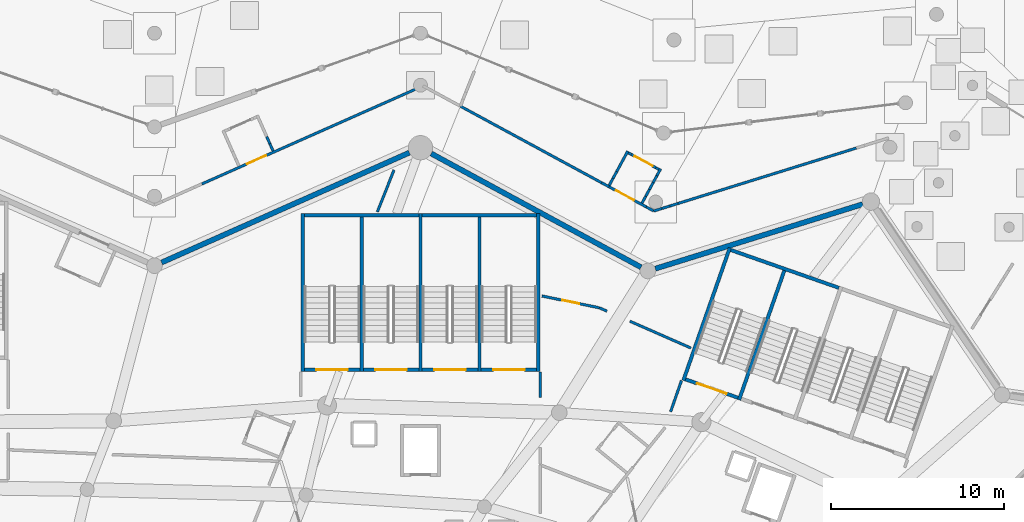
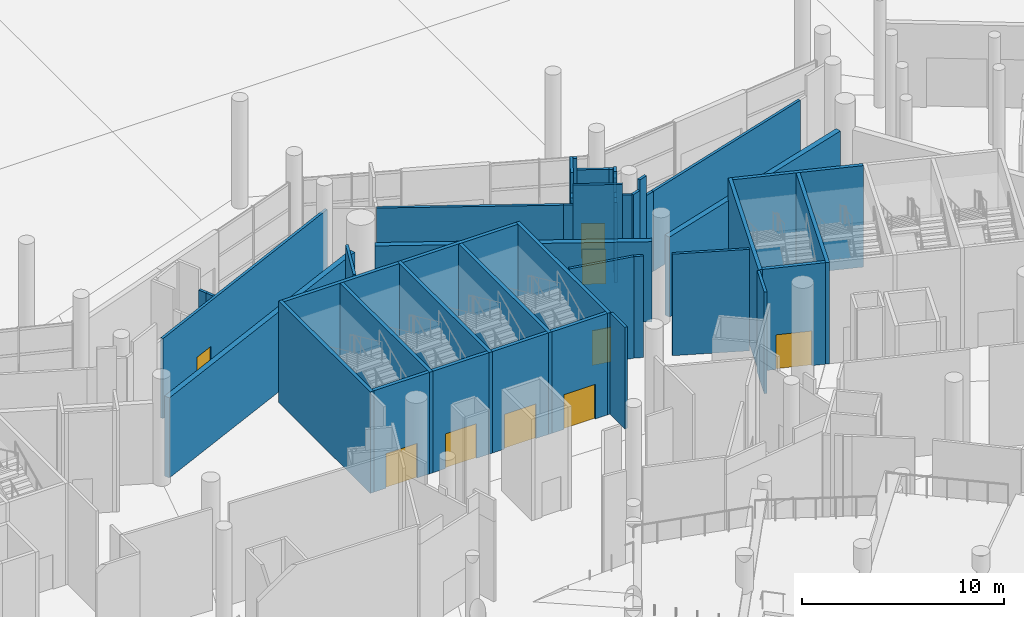
# One storey, part 153 of 255: 46 walls, 9 doors, 9 openings.
"""IFC4 building model written with IfcOpenShell, lengths in metres."""

from ifc_helpers import new_model, si_unit, direction, frame, frame_2d, origin, place, context, subcontext, project, spatial, rectangle, extrude, material, layer, layer_set, type_object, element, fill, save


model = new_model("IFC4")

# Units and contexts
model_context = context("Model", 3, precision=1e-05, world=origin(), true_north=direction((0.0, 1.0)))
body_context = subcontext(model_context, "Body", "Model", "MODEL_VIEW")
ifc_project = project(units=[si_unit("LENGTHUNIT", "METRE"), si_unit("AREAUNIT", "SQUARE_METRE"), si_unit("VOLUMEUNIT", "CUBIC_METRE"), si_unit("PLANEANGLEUNIT", "RADIAN"), si_unit("MASSUNIT", "GRAM", prefix="KILO")], contexts=[model_context])

# Site, building, storey
site_placement = place(None, origin())
site = spatial("IfcSite", under=ifc_project, at=site_placement, CompositionType="ELEMENT")
building_placement = place(site_placement, origin())
building = spatial("IfcBuilding", under=site, at=building_placement, Name="Meseta Stadium", CompositionType="ELEMENT")
storey_placement = place(building_placement, origin())
storey = spatial("IfcBuildingStorey", under=building, at=storey_placement, Name="L00", CompositionType="ELEMENT", Elevation=0.0)

# Walls
ifc_material_1 = material(Name="Concrete C40/50", Category="concrete")
ifc_layer_1 = layer(ifc_material_1, 0.199951171875)
ifc_layer_set_1 = layer_set([ifc_layer_1], Name="Core divider wall 200")
wall_type_1 = type_object("IfcWallType", Name="Core divider wall 200", PredefinedType="SHEAR", material=ifc_layer_set_1)
wall_1_placement = place(storey_placement, frame((59.370849609375, 98.505859375, 0.0), z_axis=(0.0, 0.0, 1.0), x_axis=(-0.330280610426, -0.943882788474, 0.0)))
element("IfcWall", 1, at=wall_1_placement, inside=storey, type_object=wall_type_1, Name="Core 08 L00 stair B divider wall", PredefinedType="SHEAR", context=body_context, shape_type="SweptSolid", body=[
    extrude(rectangle(XDim=8.10009765625, YDim=0.199951171875, at=frame_2d((4.050048828125, 0.0))), origin(), (0.0, 0.0, 1.0), 6.14990234375),
])
for number, where, z_axis, x_axis, name in (
    (2, (41.7333984375, 101.60009765625, 0.0), (0.0, 0.0, 1.0), (0.0, -1.0, 0.0), "Core 09 L00 stair A divider wall"),
    (3, (34.933349609375, 101.60009765625, 0.0), (0.0, 0.0, 1.0), (0.0, -1.0, 0.0), "Core 09 L00 stair B divider wall"),
):
    element("IfcWall", number, at=place(storey_placement, frame(where, z_axis=z_axis, x_axis=x_axis)), inside=storey, type_object=wall_type_1, Name=name, PredefinedType="SHEAR", context=body_context, shape_type="SweptSolid", body=[
        extrude(rectangle(XDim=9.10009765625, YDim=0.199951171875, at=frame_2d((4.550048828125, 0.0))), origin(), (0.0, 0.0, 1.0), 6.14990234375),
    ])
ifc_material_2 = material(Name="Concrete C40/50", Category="concrete")
ifc_layer_2 = layer(ifc_material_2, 0.199951171875)
ifc_layer_set_2 = layer_set([ifc_layer_2], Name="Core shaft wall 200")
wall_type_2 = type_object("IfcWallType", Name="Core shaft wall 200", PredefinedType="SHEAR", material=ifc_layer_set_2)
wall_2_placement = place(storey_placement, frame((56.16162109375, 99.62890625, 0.0), z_axis=(0.0, 0.0, 1.0), x_axis=(-0.330280610426, -0.943882788474, 0.0)))
element("IfcWall", 4, at=wall_2_placement, inside=storey, type_object=wall_type_2, Name="Core 08 L00 stair wall B-side", PredefinedType="SHEAR", context=body_context, shape_type="SweptSolid", body=[
    extrude(rectangle(XDim=8.10009765625, YDim=0.199951171875, at=frame_2d((4.050048828125, 0.0))), origin(), (0.0, 0.0, 1.0), 6.14990234375),
])
wall_3_placement = place(storey_placement, frame((62.45263671875, 97.321533203125, 0.0), z_axis=(0.0, 0.0, 1.0), x_axis=(-0.943880844925, 0.330286164688, 0.0)))
element("IfcWall", 5, at=wall_3_placement, inside=storey, type_object=wall_type_2, Name="Core 08 L00 stair B outer end wall", PredefinedType="SHEAR", context=body_context, shape_type="SweptSolid", body=[
    extrude(rectangle(XDim=6.60009765625, YDim=0.199951171875, at=frame_2d((3.300048828125, 0.0))), origin(), (0.0, 0.0, 1.0), 6.14990234375),
])

# Wall, opening, door
wall_4_placement = place(storey_placement, frame((56.63427734375, 90.98779296875, 0.0), z_axis=(0.0, 0.0, 1.0), x_axis=(-0.943886898693, 0.330268863922, 0.0)))
wall_4 = element("IfcWall", 6, at=wall_4_placement, inside=storey, type_object=wall_type_2, Name="Core 08 L00 stair B2 inner end wall", PredefinedType="SHEAR", context=body_context, shape_type="SweptSolid", body=[
    extrude(rectangle(XDim=3.2001953125, YDim=0.199951171875, at=frame_2d((1.60009765625, 0.0))), origin(), (0.0, 0.0, 1.0), 6.14990234375),
])
opening_1_placement = place(wall_4_placement, frame((0.699951171875, 0.0, 0.0)))
opening_1 = element("IfcOpeningElement", 7, at=opening_1_placement, cuts=wall_4, Name="Opening D122", PredefinedType="OPENING", context=body_context, shape_type="SweptSolid", body=[
    extrude(rectangle(XDim=1.800048828125, YDim=2.10009765625, at=frame_2d((0.89990234375, 1.050048828125))), frame((0.0, 0.10986328125, 0.0), z_axis=(0.0, -1.0, 0.0), x_axis=(1.0, 0.0, 0.0)), (0.0, 0.0, 1.0), 0.219970703125),
])
ifc_material_3 = material(Name="Steel", Category="steel")
door_type_1 = type_object("IfcDoorType", Name="Stair door 1800x2100", OperationType="DOUBLE_DOOR_SINGLE_SWING", PredefinedType="DOOR", material=ifc_material_3)
door_1_placement = place(opening_1_placement, origin())
door_1 = element("IfcDoor", 8, at=door_1_placement, inside=storey, type_object=door_type_1, Name="Stair B2 door 08 L00", OperationType="DOUBLE_DOOR_SINGLE_SWING", OverallHeight=2.10009765625, OverallWidth=1.800048828125, PredefinedType="DOOR", context=body_context, shape_type="SweptSolid", body=[
    extrude(rectangle(XDim=1.800048828125, YDim=2.10009765625, at=frame_2d((0.89990234375, 1.050048828125))), frame((0.0, 0.02490234375, 0.0), z_axis=(0.0, -1.0, 0.0), x_axis=(1.0, 0.0, 0.0)), (0.0, 0.0, 1.0), 0.050048828125),
])
fill(opening_1, door_1)

# Walls
for number, where, z_axis, x_axis, name in (
    (9, (45.13330078125, 101.60009765625, 0.0), (0.0, 0.0, 1.0), (0.0, -1.0, 0.0), "Core 09 L00 stair wall A-side"),
    (10, (38.333251953125, 101.60009765625, 0.0), (0.0, 0.0, 1.0), (0.0, -1.0, 0.0), "Core 09 L00 stair wall shared"),
    (11, (31.533203125, 101.60009765625, 0.0), (0.0, 0.0, 1.0), (0.0, -1.0, 0.0), "Core 09 L00 stair wall B-side"),
):
    element("IfcWall", number, at=place(storey_placement, frame(where, z_axis=z_axis, x_axis=x_axis)), inside=storey, type_object=wall_type_2, Name=name, PredefinedType="SHEAR", context=body_context, shape_type="SweptSolid", body=[
        extrude(rectangle(XDim=9.10009765625, YDim=0.199951171875, at=frame_2d((4.550048828125, 0.0))), origin(), (0.0, 0.0, 1.0), 6.14990234375),
    ])
wall_5_placement = place(storey_placement, frame((45.033203125, 101.5, 0.0), z_axis=(0.0, 0.0, 1.0), x_axis=(-1.0, 0.0, 0.0)))
element("IfcWall", 12, at=wall_5_placement, inside=storey, type_object=wall_type_2, Name="Core 09 L00 stair A outer end wall", PredefinedType="SHEAR", context=body_context, shape_type="SweptSolid", body=[
    extrude(rectangle(XDim=6.599853515625, YDim=0.199951171875, at=frame_2d((3.2998046875, 0.0))), origin(), (0.0, 0.0, 1.0), 6.14990234375),
])
wall_6_placement = place(storey_placement, frame((38.2333984375, 101.5, 0.0), z_axis=(0.0, 0.0, 1.0), x_axis=(-1.0, 0.0, 0.0)))
element("IfcWall", 13, at=wall_6_placement, inside=storey, type_object=wall_type_2, Name="Core 09 L00 stair B outer end wall", PredefinedType="SHEAR", context=body_context, shape_type="SweptSolid", body=[
    extrude(rectangle(XDim=6.60009765625, YDim=0.199951171875, at=frame_2d((3.300048828125, 0.0))), origin(), (0.0, 0.0, 1.0), 6.14990234375),
])

# Wall, opening, door
wall_7_placement = place(storey_placement, frame((45.033203125, 92.60009765625, 0.0), z_axis=(0.0, 0.0, 1.0), x_axis=(-1.0, 0.0, 0.0)))
wall_7 = element("IfcWall", 14, at=wall_7_placement, inside=storey, type_object=wall_type_2, Name="Core 09 L00 stair A1 inner end wall", PredefinedType="SHEAR", context=body_context, shape_type="SweptSolid", body=[
    extrude(rectangle(XDim=3.199951171875, YDim=0.199951171875, at=frame_2d((1.60009765625, 0.0))), origin(), (0.0, 0.0, 1.0), 6.14990234375),
])
opening_2_placement = place(wall_7_placement, frame((0.699951171875, 0.0, 0.0)))
opening_2 = element("IfcOpeningElement", 15, at=opening_2_placement, cuts=wall_7, Name="Opening D131", PredefinedType="OPENING", context=body_context, shape_type="SweptSolid", body=[
    extrude(rectangle(XDim=1.800048828125, YDim=2.10009765625, at=frame_2d((0.89990234375, 1.050048828125))), frame((0.0, 0.10986328125, 0.0), z_axis=(0.0, -1.0, 0.0), x_axis=(1.0, 0.0, 0.0)), (0.0, 0.0, 1.0), 0.219970703125),
])
door_2_placement = place(opening_2_placement, origin())
door_2 = element("IfcDoor", 16, at=door_2_placement, inside=storey, type_object=door_type_1, Name="Stair A1 door 09 L00", OperationType="DOUBLE_DOOR_SINGLE_SWING", OverallHeight=2.10009765625, OverallWidth=1.800048828125, PredefinedType="DOOR", context=body_context, shape_type="SweptSolid", body=[
    extrude(rectangle(XDim=1.800048828125, YDim=2.10009765625, at=frame_2d((0.89990234375, 1.050048828125))), frame((0.0, 0.02490234375, 0.0), z_axis=(0.0, -1.0, 0.0), x_axis=(1.0, 0.0, 0.0)), (0.0, 0.0, 1.0), 0.050048828125),
])
fill(opening_2, door_2)

wall_8_placement = place(storey_placement, frame((41.63330078125, 92.60009765625, 0.0), z_axis=(0.0, 0.0, 1.0), x_axis=(-1.0, 0.0, 0.0)))
wall_8 = element("IfcWall", 17, at=wall_8_placement, inside=storey, type_object=wall_type_2, Name="Core 09 L00 stair A2 inner end wall", PredefinedType="SHEAR", context=body_context, shape_type="SweptSolid", body=[
    extrude(rectangle(XDim=3.199951171875, YDim=0.199951171875, at=frame_2d((1.60009765625, 0.0))), origin(), (0.0, 0.0, 1.0), 6.14990234375),
])
opening_3_placement = place(wall_8_placement, frame((0.699951171875, 0.0, 0.0)))
opening_3 = element("IfcOpeningElement", 18, at=opening_3_placement, cuts=wall_8, Name="Opening D132", PredefinedType="OPENING", context=body_context, shape_type="SweptSolid", body=[
    extrude(rectangle(XDim=1.800048828125, YDim=2.10009765625, at=frame_2d((0.89990234375, 1.050048828125))), frame((0.0, 0.10986328125, 0.0), z_axis=(0.0, -1.0, 0.0), x_axis=(1.0, 0.0, 0.0)), (0.0, 0.0, 1.0), 0.219970703125),
])
door_3_placement = place(opening_3_placement, origin())
door_3 = element("IfcDoor", 19, at=door_3_placement, inside=storey, type_object=door_type_1, Name="Stair A2 door 09 L00", OperationType="DOUBLE_DOOR_SINGLE_SWING", OverallHeight=2.10009765625, OverallWidth=1.800048828125, PredefinedType="DOOR", context=body_context, shape_type="SweptSolid", body=[
    extrude(rectangle(XDim=1.800048828125, YDim=2.10009765625, at=frame_2d((0.89990234375, 1.050048828125))), frame((0.0, 0.02490234375, 0.0), z_axis=(0.0, -1.0, 0.0), x_axis=(1.0, 0.0, 0.0)), (0.0, 0.0, 1.0), 0.050048828125),
])
fill(opening_3, door_3)

wall_9_placement = place(storey_placement, frame((38.2333984375, 92.60009765625, 0.0), z_axis=(0.0, 0.0, 1.0), x_axis=(-1.0, 0.0, 0.0)))
wall_9 = element("IfcWall", 20, at=wall_9_placement, inside=storey, type_object=wall_type_2, Name="Core 09 L00 stair B1 inner end wall", PredefinedType="SHEAR", context=body_context, shape_type="SweptSolid", body=[
    extrude(rectangle(XDim=3.2001953125, YDim=0.199951171875, at=frame_2d((1.60009765625, 0.0))), origin(), (0.0, 0.0, 1.0), 6.14990234375),
])
opening_4_placement = place(wall_9_placement, frame((0.699951171875, 0.0, 0.0)))
opening_4 = element("IfcOpeningElement", 21, at=opening_4_placement, cuts=wall_9, Name="Opening D133", PredefinedType="OPENING", context=body_context, shape_type="SweptSolid", body=[
    extrude(rectangle(XDim=1.800048828125, YDim=2.10009765625, at=frame_2d((0.89990234375, 1.050048828125))), frame((0.0, 0.10986328125, 0.0), z_axis=(0.0, -1.0, 0.0), x_axis=(1.0, 0.0, 0.0)), (0.0, 0.0, 1.0), 0.219970703125),
])
door_4_placement = place(opening_4_placement, origin())
door_4 = element("IfcDoor", 22, at=door_4_placement, inside=storey, type_object=door_type_1, Name="Stair B1 door 09 L00", OperationType="DOUBLE_DOOR_SINGLE_SWING", OverallHeight=2.10009765625, OverallWidth=1.800048828125, PredefinedType="DOOR", context=body_context, shape_type="SweptSolid", body=[
    extrude(rectangle(XDim=1.800048828125, YDim=2.10009765625, at=frame_2d((0.89990234375, 1.050048828125))), frame((0.0, 0.02490234375, 0.0), z_axis=(0.0, -1.0, 0.0), x_axis=(1.0, 0.0, 0.0)), (0.0, 0.0, 1.0), 0.050048828125),
])
fill(opening_4, door_4)

wall_10_placement = place(storey_placement, frame((34.833251953125, 92.60009765625, 0.0), z_axis=(0.0, 0.0, 1.0), x_axis=(-1.0, 0.0, 0.0)))
wall_10 = element("IfcWall", 23, at=wall_10_placement, inside=storey, type_object=wall_type_2, Name="Core 09 L00 stair B2 inner end wall", PredefinedType="SHEAR", context=body_context, shape_type="SweptSolid", body=[
    extrude(rectangle(XDim=3.199951171875, YDim=0.199951171875, at=frame_2d((1.60009765625, 0.0))), origin(), (0.0, 0.0, 1.0), 6.14990234375),
])
opening_5_placement = place(wall_10_placement, frame((0.699951171875, 0.0, 0.0)))
opening_5 = element("IfcOpeningElement", 24, at=opening_5_placement, cuts=wall_10, Name="Opening D134", PredefinedType="OPENING", context=body_context, shape_type="SweptSolid", body=[
    extrude(rectangle(XDim=1.800048828125, YDim=2.10009765625, at=frame_2d((0.89990234375, 1.050048828125))), frame((0.0, 0.10986328125, 0.0), z_axis=(0.0, -1.0, 0.0), x_axis=(1.0, 0.0, 0.0)), (0.0, 0.0, 1.0), 0.219970703125),
])
door_5_placement = place(opening_5_placement, origin())
door_5 = element("IfcDoor", 25, at=door_5_placement, inside=storey, type_object=door_type_1, Name="Stair B2 door 09 L00", OperationType="DOUBLE_DOOR_SINGLE_SWING", OverallHeight=2.10009765625, OverallWidth=1.800048828125, PredefinedType="DOOR", context=body_context, shape_type="SweptSolid", body=[
    extrude(rectangle(XDim=1.800048828125, YDim=2.10009765625, at=frame_2d((0.89990234375, 1.050048828125))), frame((0.0, 0.02490234375, 0.0), z_axis=(0.0, -1.0, 0.0), x_axis=(1.0, 0.0, 0.0)), (0.0, 0.0, 1.0), 0.050048828125),
])
fill(opening_5, door_5)

# Wall
ifc_material_4 = material(Name="Masonry blockwork", Category="masonry")
ifc_layer_3 = layer(ifc_material_4, 0.14990234375)
ifc_layer_set_3 = layer_set([ifc_layer_3], Name="Partition 150")
wall_type_3 = type_object("IfcWallType", Name="Partition 150", PredefinedType="PARTITIONING", material=ifc_layer_set_3)
wall_11_placement = place(storey_placement, frame((45.2333984375, 91.015625, 0.0), z_axis=(0.0, 0.0, 1.0), x_axis=(0.0, 1.0, 0.0)))
element("IfcWall", 26, at=wall_11_placement, inside=storey, type_object=wall_type_3, Name="Partition L00 L00-cell07-2-0", PredefinedType="PARTITIONING", context=body_context, shape_type="SweptSolid", body=[
    extrude(rectangle(XDim=1.4443359375, YDim=0.14990234375, at=frame_2d((0.72216796875, 0.0))), origin(), (0.0, 0.0, 1.0), 6.14990234375),
])

# Wall, opening, door
wall_12_placement = place(storey_placement, frame((48.642333984375, 96.171875, 0.0), z_axis=(0.0, 0.0, 1.0), x_axis=(-0.979450326169, 0.201685543776, 0.0)))
wall_12 = element("IfcWall", 27, at=wall_12_placement, inside=storey, type_object=wall_type_3, Name="Partition L00 L00-cell07-2-0", PredefinedType="PARTITIONING", context=body_context, shape_type="SweptSolid", body=[
    extrude(rectangle(XDim=3.37841796875, YDim=0.14990234375, at=frame_2d((1.689208984375, 0.0))), origin(), (0.0, 0.0, 1.0), 6.14990234375),
])
opening_6_placement = place(wall_12_placement, frame((1.178466796875, 0.0, 0.0)))
opening_6 = element("IfcOpeningElement", 28, at=opening_6_placement, cuts=wall_12, Name="Opening D557", PredefinedType="OPENING", context=body_context, shape_type="SweptSolid", body=[
    extrude(rectangle(XDim=1.0, YDim=2.10009765625, at=frame_2d((0.5, 1.050048828125))), frame((0.0, 0.0849609375, 0.0), z_axis=(0.0, -1.0, 0.0), x_axis=(1.0, 0.0, 0.0)), (0.0, 0.0, 1.0), 0.169921875),
])
ifc_material_5 = material(Name="Steel", Category="steel")
door_type_2 = type_object("IfcDoorType", Name="Fire door 1000x2100 EI2 60", OperationType="NOTDEFINED", PredefinedType="DOOR", material=ifc_material_5)
door_6_placement = place(opening_6_placement, origin())
door_6 = element("IfcDoor", 29, at=door_6_placement, inside=storey, type_object=door_type_2, Name="Door D557", OperationType="SINGLE_SWING_LEFT", OverallHeight=2.10009765625, OverallWidth=1.0, PredefinedType="DOOR", context=body_context, shape_type="SweptSolid", body=[
    extrude(rectangle(XDim=1.0, YDim=2.10009765625, at=frame_2d((0.5, 1.050048828125))), frame((0.0, 0.02490234375, 0.0), z_axis=(0.0, -1.0, 0.0), x_axis=(1.0, 0.0, 0.0)), (0.0, 0.0, 1.0), 0.050048828125),
])
fill(opening_6, door_6)

# Walls
wall_13_placement = place(storey_placement, frame((48.642333984375, 96.171875, 0.0), z_axis=(0.0, 0.0, 1.0), x_axis=(0.915644030191, -0.401990062035, 0.0)))
element("IfcWall", 30, at=wall_13_placement, inside=storey, type_object=wall_type_3, Name="Partition L00 L00-cell07-2-0", PredefinedType="PARTITIONING", context=body_context, shape_type="SweptSolid", body=[
    extrude(rectangle(XDim=0.48095703125, YDim=0.14990234375, at=frame_2d((0.240478515625, 0.0))), origin(), (0.0, 0.0, 1.0), 6.14990234375),
])
wall_14_placement = place(storey_placement, frame((50.404052734375, 95.39794921875, 0.0), z_axis=(0.0, 0.0, 1.0), x_axis=(0.915527241614, -0.402255975546, 0.0)))
element("IfcWall", 31, at=wall_14_placement, inside=storey, type_object=wall_type_3, Name="Partition L00 L00-cell07-2-0", PredefinedType="PARTITIONING", context=body_context, shape_type="SweptSolid", body=[
    extrude(rectangle(XDim=3.8486328125, YDim=0.14990234375, at=frame_2d((1.92431640625, 0.0))), origin(), (0.0, 0.0, 1.0), 6.14990234375),
])
wall_15_placement = place(storey_placement, frame((53.378662109375, 91.978759765625, 0.0), z_axis=(0.0, 0.0, 1.0), x_axis=(-0.330190985446, -0.943914145, 0.0)))
element("IfcWall", 32, at=wall_15_placement, inside=storey, type_object=wall_type_3, Name="Partition L00 L00-cell07-2-0", PredefinedType="PARTITIONING", context=body_context, shape_type="SweptSolid", body=[
    extrude(rectangle(XDim=1.909912109375, YDim=0.14990234375, at=frame_2d((0.955078125, 0.0))), origin(), (0.0, 0.0, 1.0), 6.14990234375),
])
wall_16_placement = place(storey_placement, frame((36.806640625, 104.117431640625, 0.0), z_axis=(0.0, 0.0, 1.0), x_axis=(-0.368815912395, -0.929502459795, 0.0)))
element("IfcWall", 33, at=wall_16_placement, inside=storey, type_object=wall_type_3, Name="Partition L00 L00-cell08-2-0", PredefinedType="PARTITIONING", context=body_context, shape_type="SweptSolid", body=[
    extrude(rectangle(XDim=2.600830078125, YDim=0.14990234375, at=frame_2d((1.30029296875, 0.0))), origin(), (0.0, 0.0, 1.0), 6.14990234375),
])
wall_17_placement = place(storey_placement, frame((63.448974609375, 105.37841796875, 0.0), z_axis=(0.0, 0.0, 1.0), x_axis=(-0.954916863786, -0.29687334548, 0.0)))
element("IfcWall", 34, at=wall_17_placement, inside=storey, type_object=wall_type_3, Name="Partition L00 L00-ring07-0", PredefinedType="PARTITIONING", context=body_context, shape_type="SweptSolid", body=[
    extrude(rectangle(XDim=10.75341796875, YDim=0.14990234375, at=frame_2d((5.376708984375, 0.0))), origin(), (0.0, 0.0, 1.0), 4.85009765625),
])
wall_18_placement = place(storey_placement, frame((53.180419921875, 102.18603515625, 0.0), z_axis=(0.0, 0.0, 1.0), x_axis=(-0.954976336525, -0.296681979025, 0.0)))
element("IfcWall", 35, at=wall_18_placement, inside=storey, type_object=wall_type_3, Name="Partition L00 L00-ring07-0", PredefinedType="PARTITIONING", context=body_context, shape_type="SweptSolid", body=[
    extrude(rectangle(XDim=0.48876953125, YDim=0.14990234375, at=frame_2d((0.244384765625, 0.0))), origin(), (0.0, 0.0, 1.0), 4.85009765625),
])
wall_19_placement = place(storey_placement, frame((52.713623046875, 102.041015625, 0.0), z_axis=(0.0, 0.0, 1.0), x_axis=(-0.954976336525, -0.296681979025, 0.0)))
element("IfcWall", 36, at=wall_19_placement, inside=storey, type_object=wall_type_3, Name="Partition L00 L00-ring07-0", PredefinedType="PARTITIONING", context=body_context, shape_type="SweptSolid", body=[
    extrude(rectangle(XDim=0.48876953125, YDim=0.14990234375, at=frame_2d((0.244384765625, 0.0))), origin(), (0.0, 0.0, 1.0), 6.050048828125),
])
wall_20_placement = place(storey_placement, frame((52.246826171875, 101.89599609375, 0.0), z_axis=(0.0, 0.0, 1.0), x_axis=(-0.954834738461, -0.297137379385, 0.0)))
element("IfcWall", 37, at=wall_20_placement, inside=storey, type_object=wall_type_3, Name="Partition L00 L00-ring07-0", PredefinedType="PARTITIONING", context=body_context, shape_type="SweptSolid", body=[
    extrude(rectangle(XDim=0.48876953125, YDim=0.14990234375, at=frame_2d((0.244384765625, 0.0))), origin(), (0.0, 0.0, 1.0), 5.39990234375),
])
wall_21_placement = place(storey_placement, frame((51.780029296875, 101.750732421875, 0.0), z_axis=(0.0, 0.0, 1.0), x_axis=(-0.879117188696, 0.476605674054, 0.0)))
element("IfcWall", 38, at=wall_21_placement, inside=storey, type_object=wall_type_3, Name="Partition L00 L00-ring07-0", PredefinedType="PARTITIONING", context=body_context, shape_type="SweptSolid", body=[
    extrude(rectangle(XDim=0.487548828125, YDim=0.14990234375, at=frame_2d((0.24365234375, 0.0))), origin(), (0.0, 0.0, 1.0), 5.39990234375),
])

# Wall, opening, door
wall_22_placement = place(storey_placement, frame((51.351318359375, 101.983154296875, 0.0), z_axis=(0.0, 0.0, 1.0), x_axis=(-0.879139929893, 0.476563724666, 0.0)))
wall_22 = element("IfcWall", 39, at=wall_22_placement, inside=storey, type_object=wall_type_3, Name="Partition L00 L00-ring07-0", PredefinedType="PARTITIONING", context=body_context, shape_type="SweptSolid", body=[
    extrude(rectangle(XDim=2.4384765625, YDim=0.14990234375, at=frame_2d((1.21923828125, 0.0))), origin(), (0.0, 0.0, 1.0), 6.050048828125),
])
opening_7_placement = place(wall_22_placement, frame((0.800048828125, 0.0, 0.0)))
opening_7 = element("IfcOpeningElement", 40, at=opening_7_placement, cuts=wall_22, Name="Opening D623", PredefinedType="OPENING", context=body_context, shape_type="SweptSolid", body=[
    extrude(rectangle(XDim=1.199951171875, YDim=2.10009765625, at=frame_2d((0.60009765625, 1.050048828125))), frame((0.0, 0.0849609375, 0.0), z_axis=(0.0, -1.0, 0.0), x_axis=(1.0, 0.0, 0.0)), (0.0, 0.0, 1.0), 0.169921875),
])
ifc_material_6 = material(Name="Steel", Category="steel")
door_type_3 = type_object("IfcDoorType", Name="Fire door 1200x2100 EI2 60", OperationType="NOTDEFINED", PredefinedType="DOOR", material=ifc_material_6)
door_7_placement = place(opening_7_placement, origin())
door_7 = element("IfcDoor", 41, at=door_7_placement, inside=storey, type_object=door_type_3, Name="Door D623", OperationType="SINGLE_SWING_RIGHT", OverallHeight=2.10009765625, OverallWidth=1.199951171875, PredefinedType="DOOR", context=body_context, shape_type="SweptSolid", body=[
    extrude(rectangle(XDim=1.199951171875, YDim=2.10009765625, at=frame_2d((0.60009765625, 1.050048828125))), frame((0.0, 0.02490234375, 0.0), z_axis=(0.0, -1.0, 0.0), x_axis=(1.0, 0.0, 0.0)), (0.0, 0.0, 1.0), 0.050048828125),
])
fill(opening_7, door_7)

# Walls
wall_23_placement = place(storey_placement, frame((49.20751953125, 103.145263671875, 0.0), z_axis=(0.0, 0.0, 1.0), x_axis=(-0.879117188696, 0.476605674054, 0.0)))
element("IfcWall", 42, at=wall_23_placement, inside=storey, type_object=wall_type_3, Name="Partition L00 L00-ring07-0", PredefinedType="PARTITIONING", context=body_context, shape_type="SweptSolid", body=[
    extrude(rectangle(XDim=0.487548828125, YDim=0.14990234375, at=frame_2d((0.24365234375, 0.0))), origin(), (0.0, 0.0, 1.0), 4.85009765625),
])
wall_24_placement = place(storey_placement, frame((48.77880859375, 103.377685546875, 0.0), z_axis=(0.0, 0.0, 1.0), x_axis=(-0.879141126632, 0.476561516978, 0.0)))
element("IfcWall", 43, at=wall_24_placement, inside=storey, type_object=wall_type_3, Name="Partition L00 L00-ring07-0", PredefinedType="PARTITIONING", context=body_context, shape_type="SweptSolid", body=[
    extrude(rectangle(XDim=9.266357421875, YDim=0.14990234375, at=frame_2d((4.63330078125, 0.0))), origin(), (0.0, 0.0, 1.0), 4.85009765625),
])

# Wall, opening, door
wall_25_placement = place(storey_placement, frame((38.38818359375, 108.9248046875, 0.0), z_axis=(0.0, 0.0, 1.0), x_axis=(-0.914139898556, -0.405398872555, 0.0)))
wall_25 = element("IfcWall", 44, at=wall_25_placement, inside=storey, type_object=wall_type_3, Name="Partition L00 L00-ring08-0", PredefinedType="PARTITIONING", context=body_context, shape_type="SweptSolid", body=[
    extrude(rectangle(XDim=13.846435546875, YDim=0.14990234375, at=frame_2d((6.92333984375, 0.0))), origin(), (0.0, 0.0, 1.0), 4.85009765625),
])
opening_8_placement = place(wall_25_placement, frame((9.800048828125, 0.0, 0.0)))
opening_8 = element("IfcOpeningElement", 45, at=opening_8_placement, cuts=wall_25, Name="Opening D624", PredefinedType="OPENING", context=body_context, shape_type="SweptSolid", body=[
    extrude(rectangle(XDim=1.199951171875, YDim=2.10009765625, at=frame_2d((0.60009765625, 1.050048828125))), frame((0.0, 0.0849609375, 0.0), z_axis=(0.0, -1.0, 0.0), x_axis=(1.0, 0.0, 0.0)), (0.0, 0.0, 1.0), 0.169921875),
])
door_8_placement = place(opening_8_placement, origin())
door_8 = element("IfcDoor", 46, at=door_8_placement, inside=storey, type_object=door_type_3, Name="Door D624", OperationType="SINGLE_SWING_RIGHT", OverallHeight=2.10009765625, OverallWidth=1.199951171875, PredefinedType="DOOR", context=body_context, shape_type="SweptSolid", body=[
    extrude(rectangle(XDim=1.199951171875, YDim=2.10009765625, at=frame_2d((0.60009765625, 1.050048828125))), frame((0.0, 0.02490234375, 0.0), z_axis=(0.0, -1.0, 0.0), x_axis=(1.0, 0.0, 0.0)), (0.0, 0.0, 1.0), 0.050048828125),
])
fill(opening_8, door_8)

# Walls
for number, where, z_axis, x_axis, name in (
    (47, (51.101318359375, 102.2041015625, 0.0), (0.0, 0.0, 1.0), (0.476912253193, 0.878950910321, 0.0), "Partition L00 L00-ring07-0 vestibule"),
    (48, (51.31591796875, 102.599609375, 0.0), (0.0, 0.0, 1.0), (0.476492931446, 0.879178301758, 0.0), "Partition L00 L00-ring07-0 vestibule"),
):
    element("IfcWall", number, at=place(storey_placement, frame(where, z_axis=z_axis, x_axis=x_axis)), inside=storey, type_object=wall_type_3, Name=name, PredefinedType="PARTITIONING", context=body_context, shape_type="SweptSolid", body=[
        extrude(rectangle(XDim=0.449951171875, YDim=0.14990234375, at=frame_2d((0.22509765625, 0.0))), origin(), (0.0, 0.0, 1.0), 4.85009765625),
    ])
wall_26_placement = place(storey_placement, frame((51.5302734375, 102.9951171875, 0.0), z_axis=(0.0, 0.0, 1.0), x_axis=(0.476265673746, 0.879301431826, 0.0)))
element("IfcWall", 49, at=wall_26_placement, inside=storey, type_object=wall_type_3, Name="Partition L00 L00-ring07-0 vestibule", PredefinedType="PARTITIONING", context=body_context, shape_type="SweptSolid", body=[
    extrude(rectangle(XDim=0.4501953125, YDim=0.14990234375, at=frame_2d((0.22509765625, 0.0))), origin(), (0.0, 0.0, 1.0), 6.10009765625),
])
wall_27_placement = place(storey_placement, frame((51.74462890625, 103.390869140625, 0.0), z_axis=(0.0, 0.0, 1.0), x_axis=(0.476684913063, 0.879074225341, 0.0)))
element("IfcWall", 50, at=wall_27_placement, inside=storey, type_object=wall_type_3, Name="Partition L00 L00-ring07-0 vestibule", PredefinedType="PARTITIONING", context=body_context, shape_type="SweptSolid", body=[
    extrude(rectangle(XDim=0.4501953125, YDim=0.14990234375, at=frame_2d((0.22509765625, 0.0))), origin(), (0.0, 0.0, 1.0), 5.39990234375),
])
wall_28_placement = place(storey_placement, frame((51.959228515625, 103.78662109375, 0.0), z_axis=(0.0, 0.0, 1.0), x_axis=(0.476492931446, 0.879178301758, 0.0)))
element("IfcWall", 51, at=wall_28_placement, inside=storey, type_object=wall_type_3, Name="Partition L00 L00-ring07-0 vestibule", PredefinedType="PARTITIONING", context=body_context, shape_type="SweptSolid", body=[
    extrude(rectangle(XDim=0.449951171875, YDim=0.14990234375, at=frame_2d((0.22509765625, 0.0))), origin(), (0.0, 0.0, 1.0), 5.39990234375),
])
wall_29_placement = place(storey_placement, frame((49.211181640625, 103.228759765625, 0.0), z_axis=(0.0, 0.0, 1.0), x_axis=(0.476912253193, 0.878950910321, 0.0)))
element("IfcWall", 52, at=wall_29_placement, inside=storey, type_object=wall_type_3, Name="Partition L00 L00-ring07-0 vestibule", PredefinedType="PARTITIONING", context=body_context, shape_type="SweptSolid", body=[
    extrude(rectangle(XDim=0.449951171875, YDim=0.14990234375, at=frame_2d((0.22509765625, 0.0))), origin(), (0.0, 0.0, 1.0), 4.85009765625),
])
wall_30_placement = place(storey_placement, frame((49.42578125, 103.624267578125, 0.0), z_axis=(0.0, 0.0, 1.0), x_axis=(0.476265673746, 0.879301431826, 0.0)))
element("IfcWall", 53, at=wall_30_placement, inside=storey, type_object=wall_type_3, Name="Partition L00 L00-ring07-0 vestibule", PredefinedType="PARTITIONING", context=body_context, shape_type="SweptSolid", body=[
    extrude(rectangle(XDim=0.4501953125, YDim=0.14990234375, at=frame_2d((0.22509765625, 0.0))), origin(), (0.0, 0.0, 1.0), 4.85009765625),
])
wall_31_placement = place(storey_placement, frame((49.64013671875, 104.02001953125, 0.0), z_axis=(0.0, 0.0, 1.0), x_axis=(0.476556959226, 0.879143597266, 0.0)))
element("IfcWall", 54, at=wall_31_placement, inside=storey, type_object=wall_type_3, Name="Partition L00 L00-ring07-0 vestibule", PredefinedType="PARTITIONING", context=body_context, shape_type="SweptSolid", body=[
    extrude(rectangle(XDim=1.349853515625, YDim=0.14990234375, at=frame_2d((0.6748046875, 0.0))), origin(), (0.0, 0.0, 1.0), 6.10009765625),
])
wall_32_placement = place(storey_placement, frame((52.072021484375, 104.15185546875, 0.0), z_axis=(0.0, 0.0, 1.0), x_axis=(-0.879057835557, 0.476715136897, 0.0)))
element("IfcWall", 55, at=wall_32_placement, inside=storey, type_object=wall_type_3, Name="Partition L00 L00-ring07-0 vestibule", PredefinedType="PARTITIONING", context=body_context, shape_type="SweptSolid", body=[
    extrude(rectangle(XDim=0.2001953125, YDim=0.14990234375, at=frame_2d((0.10009765625, 0.0))), origin(), (0.0, 0.0, 1.0), 5.39990234375),
])

# Wall, opening, door
wall_33_placement = place(storey_placement, frame((51.89599609375, 104.247314453125, 0.0), z_axis=(0.0, 0.0, 1.0), x_axis=(-0.879134811281, 0.476573167094, 0.0)))
wall_33 = element("IfcWall", 56, at=wall_33_placement, inside=storey, type_object=wall_type_3, Name="Partition L00 L00-ring07-0 vestibule", PredefinedType="PARTITIONING", context=body_context, shape_type="SweptSolid", body=[
    extrude(rectangle(XDim=1.599853515625, YDim=0.14990234375, at=frame_2d((0.7998046875, 0.0))), origin(), (0.0, 0.0, 1.0), 5.39990234375),
])
opening_9_placement = place(wall_33_placement, frame((0.199951171875, 0.0, 0.0)))
opening_9 = element("IfcOpeningElement", 57, at=opening_9_placement, cuts=wall_33, Name="Opening D873", PredefinedType="OPENING", context=body_context, shape_type="SweptSolid", body=[
    extrude(rectangle(XDim=1.199951171875, YDim=2.10009765625, at=frame_2d((0.60009765625, 1.050048828125))), frame((0.0, 0.0849609375, 0.0), z_axis=(0.0, -1.0, 0.0), x_axis=(1.0, 0.0, 0.0)), (0.0, 0.0, 1.0), 0.169921875),
])
door_9_placement = place(opening_9_placement, origin())
door_9 = element("IfcDoor", 58, at=door_9_placement, inside=storey, type_object=door_type_3, Name="Vestibule door L00 L00-ring07-0", OperationType="SINGLE_SWING_RIGHT", OverallHeight=2.10009765625, OverallWidth=1.199951171875, PredefinedType="DOOR", context=body_context, shape_type="SweptSolid", body=[
    extrude(rectangle(XDim=1.199951171875, YDim=2.10009765625, at=frame_2d((0.60009765625, 1.050048828125))), frame((0.0, 0.02490234375, 0.0), z_axis=(0.0, -1.0, 0.0), x_axis=(1.0, 0.0, 0.0)), (0.0, 0.0, 1.0), 0.050048828125),
])
fill(opening_9, door_9)

# Walls
wall_34_placement = place(storey_placement, frame((50.489501953125, 105.009765625, 0.0), z_axis=(0.0, 0.0, 1.0), x_axis=(-0.879291966537, 0.476283148541, 0.0)))
element("IfcWall", 59, at=wall_34_placement, inside=storey, type_object=wall_type_3, Name="Partition L00 L00-ring07-0 vestibule", PredefinedType="PARTITIONING", context=body_context, shape_type="SweptSolid", body=[
    extrude(rectangle(XDim=0.199951171875, YDim=0.14990234375, at=frame_2d((0.10009765625, 0.0))), origin(), (0.0, 0.0, 1.0), 6.10009765625),
])
wall_35_placement = place(storey_placement, frame((29.83349609375, 105.213134765625, 0.0), z_axis=(0.0, 0.0, 1.0), x_axis=(-0.405735800004, 0.913990405089, 0.0)))
element("IfcWall", 60, at=wall_35_placement, inside=storey, type_object=wall_type_3, Name="Partition L00 L00-ring08-0 vestibule", PredefinedType="PARTITIONING", context=body_context, shape_type="SweptSolid", body=[
    extrude(rectangle(XDim=0.4501953125, YDim=0.14990234375, at=frame_2d((0.22509765625, 0.0))), origin(), (0.0, 0.0, 1.0), 4.85009765625),
])
wall_36_placement = place(storey_placement, frame((29.65087890625, 105.62451171875, 0.0), z_axis=(0.0, 0.0, 1.0), x_axis=(-0.405282518143, 0.914191490054, 0.0)))
element("IfcWall", 61, at=wall_36_placement, inside=storey, type_object=wall_type_3, Name="Partition L00 L00-ring08-0 vestibule", PredefinedType="PARTITIONING", context=body_context, shape_type="SweptSolid", body=[
    extrude(rectangle(XDim=0.449951171875, YDim=0.14990234375, at=frame_2d((0.22509765625, 0.0))), origin(), (0.0, 0.0, 1.0), 4.85009765625),
])
ifc_material_7 = material(Name="White precast concrete C40/50", Category="concrete")
ifc_layer_4 = layer(ifc_material_7, 0.300048828125)
ifc_layer_set_4 = layer_set([ifc_layer_4], Name="Pleated panel wall 300 concourse")
wall_type_4 = type_object("IfcWallType", Name="Pleated panel wall 300 concourse", PredefinedType="SOLIDWALL", material=ifc_layer_set_4)
wall_37_placement = place(storey_placement, frame((51.87109375, 98.427978515625, 0.0), z_axis=(0.0, 0.0, 1.0), x_axis=(0.954916036354, 0.29687600697, 0.0)))
element("IfcWall", 62, at=wall_37_placement, inside=storey, type_object=wall_type_4, Name="Pleated facade panel L00 F14", PredefinedType="SOLIDWALL", context=body_context, shape_type="SweptSolid", body=[
    extrude(rectangle(XDim=12.51318359375, YDim=0.300048828125, at=frame_2d((6.256591796875, 0.0))), origin(), (0.0, 0.0, 1.0), 4.85009765625),
])
wall_38_placement = place(storey_placement, frame((38.948486328125, 105.06640625, 0.0), z_axis=(0.0, 0.0, 1.0), x_axis=(0.879144247164, -0.476555760304, 0.0)))
element("IfcWall", 63, at=wall_38_placement, inside=storey, type_object=wall_type_4, Name="Pleated facade panel L00 F15", PredefinedType="SOLIDWALL", context=body_context, shape_type="SweptSolid", body=[
    extrude(rectangle(XDim=13.760498046875, YDim=0.300048828125, at=frame_2d((6.88037109375, 0.0))), origin(), (0.0, 0.0, 1.0), 4.85009765625),
])
wall_39_placement = place(storey_placement, frame((23.410888671875, 98.7822265625, 0.0), z_axis=(0.0, 0.0, 1.0), x_axis=(0.914140506485, 0.405397501722, 0.0)))
element("IfcWall", 64, at=wall_39_placement, inside=storey, type_object=wall_type_4, Name="Pleated facade panel L00 F16", PredefinedType="SOLIDWALL", context=body_context, shape_type="SweptSolid", body=[
    extrude(rectangle(XDim=15.624755859375, YDim=0.300048828125, at=frame_2d((7.8125, 0.0))), origin(), (0.0, 0.0, 1.0), 4.85009765625),
])

save(model, "model.ifc")
